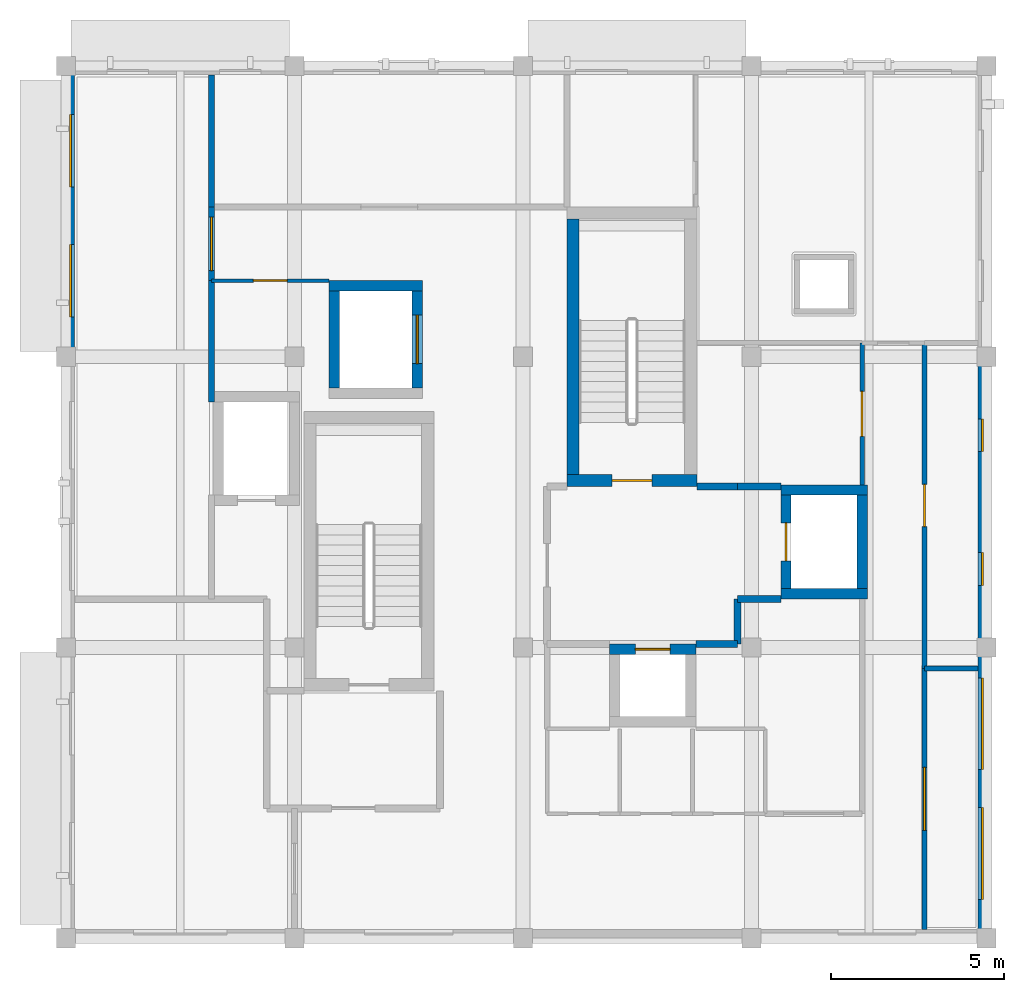
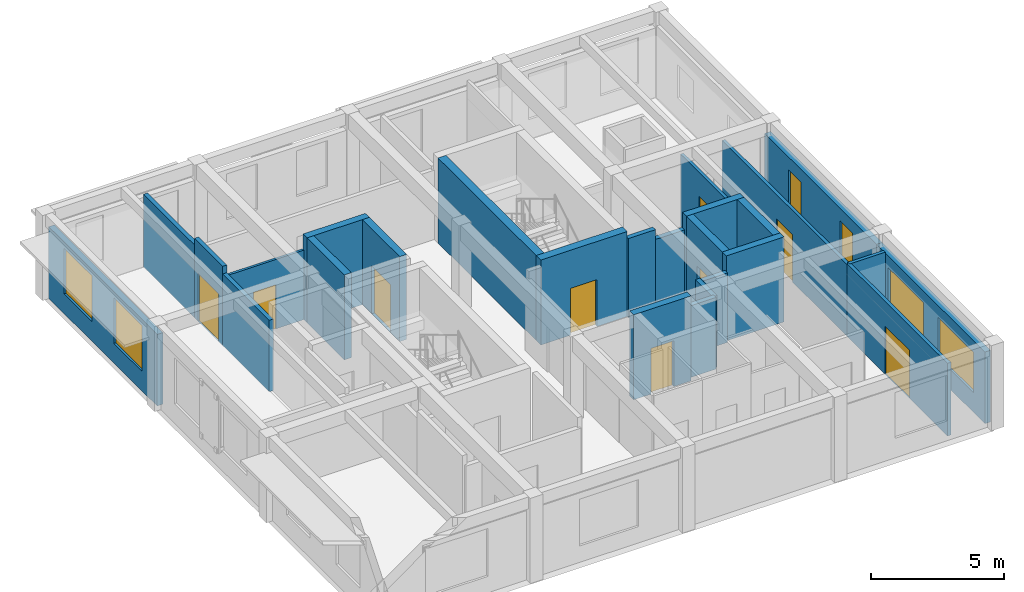
# One storey, part 3 of 6: 26 walls, 9 doors, 6 windows, 15 openings.
"""IFC4 building model written with IfcOpenShell, lengths in metres."""

from ifc_helpers import new_model, si_unit, direction, frame, frame_2d, origin, place, context, subcontext, project, spatial, rectangle, extrude, material, layer, layer_set, type_object, element, fill, save


model = new_model("IFC4")

# Units and contexts
model_context = context("Model", 3, precision=1e-05, world=origin(), true_north=direction((0.0, 1.0)))
body_context = subcontext(model_context, "Body", "Model", "MODEL_VIEW")
ifc_project = project(units=[si_unit("LENGTHUNIT", "METRE"), si_unit("AREAUNIT", "SQUARE_METRE"), si_unit("VOLUMEUNIT", "CUBIC_METRE"), si_unit("PLANEANGLEUNIT", "RADIAN"), si_unit("MASSUNIT", "GRAM", prefix="KILO")], contexts=[model_context])

# Site, building, storey
site_placement = place(None, origin())
site = spatial("IfcSite", under=ifc_project, at=site_placement, CompositionType="ELEMENT")
building_placement = place(site_placement, origin())
building = spatial("IfcBuilding", under=site, at=building_placement, Name="Kolvaren Faculty of Natural Sciences", CompositionType="ELEMENT")
storey_placement = place(building_placement, frame((0.0, 0.0, 36.60009765625)))
storey = spatial("IfcBuildingStorey", under=building, at=storey_placement, Name="L08", CompositionType="ELEMENT", Elevation=36.60009765625)

# Wall, opening, door
ifc_material_1 = material(Name="Acoustic mineral-wool insulated gypsum partition")
ifc_layer_1 = layer(ifc_material_1, 0.139892578125)
ifc_layer_set_1 = layer_set([ifc_layer_1], Name="Acoustic mineral-wool insulated gypsum partition")
wall_type_1 = type_object("IfcWallType", Name="CommonsPartitionWall_140", PredefinedType="PARTITIONING", material=ifc_layer_set_1)
wall_1_placement = place(storey_placement, frame((170.199951171875, 66.800048828125, 0.0), z_axis=(0.0, 0.0, 1.0), x_axis=(0.0, 1.0, 0.0)))
wall_1 = element("IfcWall", 1, at=wall_1_placement, inside=storey, type_object=wall_type_1, Name="L08 interior partition PW-140", PredefinedType="PARTITIONING", context=body_context, shape_type="SweptSolid", body=[
    extrude(rectangle(XDim=9.39990234375, YDim=0.139892578125, at=frame_2d((4.699951171875, 0.0))), origin(), (0.0, 0.0, 1.0), 3.284912109375),
])
opening_1_placement = place(wall_1_placement, frame((4.090087890625, 0.0, 0.0)))
opening_1 = element("IfcOpeningElement", 2, at=opening_1_placement, cuts=wall_1, Name="Opening ID-37", PredefinedType="OPENING", context=body_context, shape_type="SweptSolid", body=[
    extrude(rectangle(XDim=1.219970703125, YDim=2.179931640625, at=frame_2d((0.60986328125, 1.08984375))), frame((0.0, 0.079833984375, 0.0), z_axis=(0.0, -1.0, 0.0), x_axis=(1.0, 0.0, 0.0)), (0.0, 0.0, 1.0), 0.159912109375),
])
ifc_material_2 = material(Name="Solid-core hardwood veneer door leaf in steel frame", Category="steel")
door_type_1 = type_object("IfcDoorType", Name="InteriorRoomDoor_1220x2180", OperationType="NOTDEFINED", PredefinedType="DOOR", material=ifc_material_2)
door_1_placement = place(opening_1_placement, origin())
door_1 = element("IfcDoor", 3, at=door_1_placement, inside=storey, type_object=door_type_1, Name="D-L08-0375", OperationType="SINGLE_SWING_RIGHT", OverallHeight=2.179931640625, OverallWidth=1.219970703125, PredefinedType="DOOR", context=body_context, shape_type="SweptSolid", body=[
    extrude(rectangle(XDim=1.219970703125, YDim=2.179931640625, at=frame_2d((0.60986328125, 1.08984375))), frame((0.0, 0.02490234375, 0.0), z_axis=(0.0, -1.0, 0.0), x_axis=(1.0, 0.0, 0.0)), (0.0, 0.0, 1.0), 0.050048828125),
])
fill(opening_1, door_1)

ifc_layer_2 = layer(ifc_material_1, 0.14501953125)
ifc_layer_set_2 = layer_set([ifc_layer_2], Name="Acoustic mineral-wool insulated gypsum partition")
wall_type_2 = type_object("IfcWallType", Name="CommonsPartitionWall_145", PredefinedType="PARTITIONING", material=ifc_layer_set_2)
wall_2_placement = place(storey_placement, frame((170.199951171875, 59.251953125, 0.0), z_axis=(0.0, 0.0, 1.0), x_axis=(0.0, 1.0, 0.0)))
wall_2 = element("IfcWall", 4, at=wall_2_placement, inside=storey, type_object=wall_type_2, Name="L08 interior partition PW-145", PredefinedType="PARTITIONING", context=body_context, shape_type="SweptSolid", body=[
    extrude(rectangle(XDim=7.548095703125, YDim=0.14501953125, at=frame_2d((3.77392578125, 0.0))), origin(), (0.0, 0.0, 1.0), 3.3349609375),
])
opening_2_placement = place(wall_2_placement, frame((2.864013671875, 0.0, 0.0)))
opening_2 = element("IfcOpeningElement", 5, at=opening_2_placement, cuts=wall_2, Name="Opening ID-36", PredefinedType="OPENING", context=body_context, shape_type="SweptSolid", body=[
    extrude(rectangle(XDim=1.820068359375, YDim=2.199951171875, at=frame_2d((0.91015625, 1.10009765625))), frame((0.0, 0.08251953125, 0.0), z_axis=(0.0, -1.0, 0.0), x_axis=(1.0, 0.0, 0.0)), (0.0, 0.0, 1.0), 0.1650390625),
])
ifc_material_3 = material(Name="Thermally broken anodised aluminium glazed door", Category="aluminium")
door_type_2 = type_object("IfcDoorType", Name="InteriorRoomDoor_1820x2200", OperationType="DOUBLE_DOOR_SINGLE_SWING", PredefinedType="DOOR", material=ifc_material_3)
door_2_placement = place(opening_2_placement, origin())
door_2 = element("IfcDoor", 6, at=door_2_placement, inside=storey, type_object=door_type_2, Name="D-L08-0374", OperationType="DOUBLE_DOOR_SINGLE_SWING", OverallHeight=2.199951171875, OverallWidth=1.820068359375, PredefinedType="DOOR", context=body_context, shape_type="SweptSolid", body=[
    extrude(rectangle(XDim=1.820068359375, YDim=2.199951171875, at=frame_2d((0.91015625, 1.10009765625))), frame((0.0, 0.02490234375, 0.0), z_axis=(0.0, -1.0, 0.0), x_axis=(1.0, 0.0, 0.0)), (0.0, 0.0, 1.0), 0.050048828125),
])
fill(opening_2, door_2)

# Wall
wall_3_placement = place(storey_placement, frame((170.199951171875, 66.800048828125, 0.0), z_axis=(0.0, 0.0, 1.0), x_axis=(1.0, 0.0, 0.0)))
element("IfcWall", 7, at=wall_3_placement, inside=storey, type_object=wall_type_2, Name="L08 interior partition PW-145", PredefinedType="PARTITIONING", context=body_context, shape_type="SweptSolid", body=[
    extrude(rectangle(XDim=1.548095703125, YDim=0.14501953125, at=frame_2d((0.77392578125, 0.0))), origin(), (0.0, 0.0, 1.0), 3.3349609375),
])

# Wall, opening, door
ifc_material_4 = material(Name="Concrete C40/50", Category="concrete")
ifc_layer_3 = layer(ifc_material_4, 0.35009765625)
ifc_layer_set_3 = layer_set([ifc_layer_3], Name="Concrete C40/50")
wall_type_3 = type_object("IfcWallType", Name="CoreShearWall_350", PredefinedType="SHEAR", material=ifc_layer_set_3)
wall_4_placement = place(storey_placement, frame((159.875, 72.22509765625, 0.0), z_axis=(0.0, 0.0, 1.0), x_axis=(1.0, 0.0, 0.0)))
wall_4 = element("IfcWall", 8, at=wall_4_placement, inside=storey, type_object=wall_type_3, Name="L08 CORE-C1 stair shear wall S", PredefinedType="SHEAR", context=body_context, shape_type="SweptSolid", body=[
    extrude(rectangle(XDim=3.75, YDim=0.35009765625, at=frame_2d((1.875, 0.0))), origin(), (0.0, 0.0, 1.0), 3.89990234375),
])
opening_3_placement = place(wall_4_placement, frame((1.300048828125, 0.0, 0.0)))
opening_3 = element("IfcOpeningElement", 9, at=opening_3_placement, cuts=wall_4, Name="Opening FD90", PredefinedType="OPENING", context=body_context, shape_type="SweptSolid", body=[
    extrude(rectangle(XDim=1.14990234375, YDim=2.14990234375, at=frame_2d((0.574951171875, 1.074951171875))), frame((0.0, 0.18505859375, 0.0), z_axis=(0.0, -1.0, 0.0), x_axis=(1.0, 0.0, 0.0)), (0.0, 0.0, 1.0), 0.3701171875),
])
ifc_material_5 = material(Name="Fire-rated solid-core hardwood door leaf in steel frame", Category="steel")
door_type_3 = type_object("IfcDoorType", Name="StairCoreFireDoor_1150x2150", OperationType="NOTDEFINED", PredefinedType="DOOR", material=ifc_material_5)
door_3_placement = place(opening_3_placement, origin())
door_3 = element("IfcDoor", 10, at=door_3_placement, inside=storey, type_object=door_type_3, Name="D-ST-ST-1-L08", OperationType="SINGLE_SWING_RIGHT", OverallHeight=2.14990234375, OverallWidth=1.14990234375, PredefinedType="DOOR", context=body_context, shape_type="SweptSolid", body=[
    extrude(rectangle(XDim=1.14990234375, YDim=2.14990234375, at=frame_2d((0.574951171875, 1.074951171875))), frame((0.0, 0.02490234375, 0.0), z_axis=(0.0, -1.0, 0.0), x_axis=(1.0, 0.0, 0.0)), (0.0, 0.0, 1.0), 0.050048828125),
])
fill(opening_3, door_3)

# Wall
wall_5_placement = place(storey_placement, frame((160.050048828125, 72.39990234375, 0.0), z_axis=(0.0, 0.0, 1.0), x_axis=(0.0, 1.0, 0.0)))
element("IfcWall", 11, at=wall_5_placement, inside=storey, type_object=wall_type_3, Name="L08 CORE-C1 stair shear wall W", PredefinedType="SHEAR", context=body_context, shape_type="SweptSolid", body=[
    extrude(rectangle(XDim=7.375, YDim=0.35009765625, at=frame_2d((3.6875, 0.0))), origin(), (0.0, 0.0, 1.0), 3.89990234375),
])

# Wall, openings, windows
ifc_material_6 = material(Name="Precast concrete C35/45", Category="concrete")
ifc_layer_4 = layer(ifc_material_6, 0.25)
ifc_layer_set_4 = layer_set([ifc_layer_4], Name="Precast concrete C35/45")
wall_type_4 = type_object("IfcWallType", Name="ExteriorTowerWall_250", PredefinedType="STANDARD", material=ifc_layer_set_4)
wall_6_placement = place(storey_placement, frame((171.875, 75.800048828125, 0.0), z_axis=(0.0, 0.0, 1.0), x_axis=(0.0, -1.0, 0.0)))
wall_6 = element("IfcWall", 12, at=wall_6_placement, inside=storey, type_object=wall_type_4, Name="L08 exterior masonry wall EW-250 (727)", PredefinedType="STANDARD", context=body_context, shape_type="SweptSolid", body=[
    extrude(rectangle(XDim=8.400146484375, YDim=0.25, at=frame_2d((4.2001953125, 0.0))), origin(), (0.0, 0.0, 1.0), 3.284912109375),
])
opening_4_placement = place(wall_6_placement, frame((1.79296875, 0.0, 0.89990234375)))
opening_4 = element("IfcOpeningElement", 13, at=opening_4_placement, cuts=wall_6, Name="Opening WIN-23", PredefinedType="OPENING", context=body_context, shape_type="SweptSolid", body=[
    extrude(rectangle(XDim=0.949951171875, YDim=1.800048828125, at=frame_2d((0.47509765625, 0.89990234375))), frame((0.0, 0.135009765625, 0.0), z_axis=(0.0, -1.0, 0.0), x_axis=(1.0, 0.0, 0.0)), (0.0, 0.0, 1.0), 0.27001953125),
])
opening_5_placement = place(wall_6_placement, frame((5.656982421875, 0.0, 0.89990234375)))
opening_5 = element("IfcOpeningElement", 14, at=opening_5_placement, cuts=wall_6, Name="Opening WIN-23", PredefinedType="OPENING", context=body_context, shape_type="SweptSolid", body=[
    extrude(rectangle(XDim=0.949951171875, YDim=1.800048828125, at=frame_2d((0.47509765625, 0.89990234375))), frame((0.0, 0.135009765625, 0.0), z_axis=(0.0, -1.0, 0.0), x_axis=(1.0, 0.0, 0.0)), (0.0, 0.0, 1.0), 0.27001953125),
])
ifc_material_7 = material(Name="Double low-E solar control insulated glazing", Category="glass")
window_type_1 = type_object("IfcWindowType", Name="AluWindow_WIN23_950x1800", PartitioningType="SINGLE_PANEL", PredefinedType="WINDOW", material=ifc_material_7)
window_1_placement = place(opening_4_placement, origin())
window_1 = element("IfcWindow", 15, at=window_1_placement, inside=storey, type_object=window_type_1, Name="WIN-L08-0585", OverallHeight=1.800048828125, OverallWidth=0.949951171875, PartitioningType="SINGLE_PANEL", PredefinedType="WINDOW", context=body_context, shape_type="SweptSolid", body=[
    extrude(rectangle(XDim=0.949951171875, YDim=1.800048828125, at=frame_2d((0.47509765625, 0.89990234375))), frame((0.0, 0.030029296875, 0.0), z_axis=(0.0, -1.0, 0.0), x_axis=(1.0, 0.0, 0.0)), (0.0, 0.0, 1.0), 0.06005859375),
])
fill(opening_4, window_1)
window_2_placement = place(opening_5_placement, origin())
window_2 = element("IfcWindow", 16, at=window_2_placement, inside=storey, type_object=window_type_1, Name="WIN-L08-0586", OverallHeight=1.800048828125, OverallWidth=0.949951171875, PartitioningType="SINGLE_PANEL", PredefinedType="WINDOW", context=body_context, shape_type="SweptSolid", body=[
    extrude(rectangle(XDim=0.949951171875, YDim=1.800048828125, at=frame_2d((0.47509765625, 0.89990234375))), frame((0.0, 0.030029296875, 0.0), z_axis=(0.0, -1.0, 0.0), x_axis=(1.0, 0.0, 0.0)), (0.0, 0.0, 1.0), 0.06005859375),
])
fill(opening_5, window_2)

wall_7_placement = place(storey_placement, frame((171.875, 67.39990234375, 0.0), z_axis=(0.0, 0.0, 1.0), x_axis=(0.0, -1.0, 0.0)))
wall_7 = element("IfcWall", 17, at=wall_7_placement, inside=storey, type_object=wall_type_4, Name="L08 exterior masonry wall EW-250 (728)", PredefinedType="STANDARD", context=body_context, shape_type="SweptSolid", body=[
    extrude(rectangle(XDim=8.14990234375, YDim=0.25, at=frame_2d((4.074951171875, 0.0))), origin(), (0.0, 0.0, 1.0), 3.284912109375),
])
opening_6_placement = place(wall_7_placement, frame((0.87548828125, 0.0, 0.89990234375)))
opening_6 = element("IfcOpeningElement", 18, at=opening_6_placement, cuts=wall_7, Name="Opening WIN-24", PredefinedType="OPENING", context=body_context, shape_type="SweptSolid", body=[
    extrude(rectangle(XDim=2.64990234375, YDim=1.85009765625, at=frame_2d((1.324951171875, 0.925048828125))), frame((0.0, 0.135009765625, 0.0), z_axis=(0.0, -1.0, 0.0), x_axis=(1.0, 0.0, 0.0)), (0.0, 0.0, 1.0), 0.27001953125),
])
opening_7_placement = place(wall_7_placement, frame((4.62451171875, 0.0, 0.89990234375)))
opening_7 = element("IfcOpeningElement", 19, at=opening_7_placement, cuts=wall_7, Name="Opening WIN-24", PredefinedType="OPENING", context=body_context, shape_type="SweptSolid", body=[
    extrude(rectangle(XDim=2.64990234375, YDim=1.85009765625, at=frame_2d((1.324951171875, 0.925048828125))), frame((0.0, 0.135009765625, 0.0), z_axis=(0.0, -1.0, 0.0), x_axis=(1.0, 0.0, 0.0)), (0.0, 0.0, 1.0), 0.27001953125),
])
window_type_2 = type_object("IfcWindowType", Name="AluWindow_WIN24_2650x1850", PartitioningType="SINGLE_PANEL", PredefinedType="WINDOW", material=ifc_material_7)
window_3_placement = place(opening_6_placement, origin())
window_3 = element("IfcWindow", 20, at=window_3_placement, inside=storey, type_object=window_type_2, Name="WIN-L08-0587", OverallHeight=1.85009765625, OverallWidth=2.64990234375, PartitioningType="SINGLE_PANEL", PredefinedType="WINDOW", context=body_context, shape_type="SweptSolid", body=[
    extrude(rectangle(XDim=2.64990234375, YDim=1.85009765625, at=frame_2d((1.324951171875, 0.925048828125))), frame((0.0, 0.030029296875, 0.0), z_axis=(0.0, -1.0, 0.0), x_axis=(1.0, 0.0, 0.0)), (0.0, 0.0, 1.0), 0.06005859375),
])
fill(opening_6, window_3)
window_4_placement = place(opening_7_placement, origin())
window_4 = element("IfcWindow", 21, at=window_4_placement, inside=storey, type_object=window_type_2, Name="WIN-L08-0588", OverallHeight=1.85009765625, OverallWidth=2.64990234375, PartitioningType="SINGLE_PANEL", PredefinedType="WINDOW", context=body_context, shape_type="SweptSolid", body=[
    extrude(rectangle(XDim=2.64990234375, YDim=1.85009765625, at=frame_2d((1.324951171875, 0.925048828125))), frame((0.0, 0.030029296875, 0.0), z_axis=(0.0, -1.0, 0.0), x_axis=(1.0, 0.0, 0.0)), (0.0, 0.0, 1.0), 0.06005859375),
])
fill(opening_7, window_4)

wall_8_placement = place(storey_placement, frame((145.52490234375, 75.800048828125, 0.0), z_axis=(0.0, 0.0, 1.0), x_axis=(0.0, 1.0, 0.0)))
wall_8 = element("IfcWall", 22, at=wall_8_placement, inside=storey, type_object=wall_type_4, Name="L08 exterior masonry wall EW-250 (735)", PredefinedType="STANDARD", context=body_context, shape_type="SweptSolid", body=[
    extrude(rectangle(XDim=8.14990234375, YDim=0.25, at=frame_2d((4.074951171875, 0.0))), origin(), (0.0, 0.0, 1.0), 3.284912109375),
])
opening_8_placement = place(wall_8_placement, frame((1.150390625, 0.0, 0.89990234375)))
opening_8 = element("IfcOpeningElement", 23, at=opening_8_placement, cuts=wall_8, Name="Opening WIN-07", PredefinedType="OPENING", context=body_context, shape_type="SweptSolid", body=[
    extrude(rectangle(XDim=2.10009765625, YDim=2.10009765625, at=frame_2d((1.050048828125, 1.050048828125))), frame((0.0, 0.135009765625, 0.0), z_axis=(0.0, -1.0, 0.0), x_axis=(1.0, 0.0, 0.0)), (0.0, 0.0, 1.0), 0.27001953125),
])
opening_9_placement = place(wall_8_placement, frame((4.8994140625, 0.0, 0.89990234375)))
opening_9 = element("IfcOpeningElement", 24, at=opening_9_placement, cuts=wall_8, Name="Opening WIN-07", PredefinedType="OPENING", context=body_context, shape_type="SweptSolid", body=[
    extrude(rectangle(XDim=2.10009765625, YDim=2.10009765625, at=frame_2d((1.050048828125, 1.050048828125))), frame((0.0, 0.135009765625, 0.0), z_axis=(0.0, -1.0, 0.0), x_axis=(1.0, 0.0, 0.0)), (0.0, 0.0, 1.0), 0.27001953125),
])
window_type_3 = type_object("IfcWindowType", Name="AluWindow_WIN07_2100x2100", PartitioningType="SINGLE_PANEL", PredefinedType="WINDOW", material=ifc_material_7)
window_5_placement = place(opening_8_placement, origin())
window_5 = element("IfcWindow", 25, at=window_5_placement, inside=storey, type_object=window_type_3, Name="WIN-L08-0600", OverallHeight=2.10009765625, OverallWidth=2.10009765625, PartitioningType="SINGLE_PANEL", PredefinedType="WINDOW", context=body_context, shape_type="SweptSolid", body=[
    extrude(rectangle(XDim=2.10009765625, YDim=2.10009765625, at=frame_2d((1.050048828125, 1.050048828125))), frame((0.0, 0.030029296875, 0.0), z_axis=(0.0, -1.0, 0.0), x_axis=(1.0, 0.0, 0.0)), (0.0, 0.0, 1.0), 0.06005859375),
])
fill(opening_8, window_5)
window_6_placement = place(opening_9_placement, origin())
window_6 = element("IfcWindow", 26, at=window_6_placement, inside=storey, type_object=window_type_3, Name="WIN-L08-0601", OverallHeight=2.10009765625, OverallWidth=2.10009765625, PartitioningType="SINGLE_PANEL", PredefinedType="WINDOW", context=body_context, shape_type="SweptSolid", body=[
    extrude(rectangle(XDim=2.10009765625, YDim=2.10009765625, at=frame_2d((1.050048828125, 1.050048828125))), frame((0.0, 0.030029296875, 0.0), z_axis=(0.0, -1.0, 0.0), x_axis=(1.0, 0.0, 0.0)), (0.0, 0.0, 1.0), 0.06005859375),
])
fill(opening_9, window_6)

# Walls
ifc_material_8 = material(Name="Autoclaved aerated fire-rated masonry blockwork", Category="masonry")
ifc_layer_5 = layer(ifc_material_8, 0.199951171875)
ifc_layer_set_5 = layer_set([ifc_layer_5], Name="Autoclaved aerated fire-rated masonry blockwork")
wall_type_5 = type_object("IfcWallType", Name="FireLobbyWall_200", PredefinedType="PARTITIONING", material=ifc_layer_set_5)
wall_9_placement = place(storey_placement, frame((163.625, 72.050048828125, 0.0), z_axis=(0.0, 0.0, 1.0), x_axis=(1.0, 0.0, 0.0)))
element("IfcWall", 27, at=wall_9_placement, inside=storey, type_object=wall_type_5, Name="L08 interior partition FW-200", PredefinedType="PARTITIONING", context=body_context, shape_type="SweptSolid", body=[
    extrude(rectangle(XDim=1.175048828125, YDim=0.199951171875, at=frame_2d((0.58740234375, 0.0))), origin(), (0.0, 0.0, 1.0), 3.635009765625),
])
for number, where, z_axis, x_axis, name in (
    (28, (164.800048828125, 72.050048828125, 0.0), (0.0, 0.0, 1.0), (1.0, 0.0, 0.0), "L08 interior partition FW-200"),
    (29, (166.050048828125, 68.800048828125, 0.0), (0.0, 0.0, 1.0), (-1.0, 0.0, 0.0), "L08 interior partition FW-200"),
):
    element("IfcWall", number, at=place(storey_placement, frame(where, z_axis=z_axis, x_axis=x_axis)), inside=storey, type_object=wall_type_5, Name=name, PredefinedType="PARTITIONING", context=body_context, shape_type="SweptSolid", body=[
        extrude(rectangle(XDim=1.25, YDim=0.199951171875, at=frame_2d((0.625, 0.0))), origin(), (0.0, 0.0, 1.0), 3.184814453125),
    ])
wall_10_placement = place(storey_placement, frame((164.800048828125, 68.800048828125, 0.0), z_axis=(0.0, 0.0, 1.0), x_axis=(0.0, -1.0, 0.0)))
element("IfcWall", 30, at=wall_10_placement, inside=storey, type_object=wall_type_5, Name="L08 interior partition FW-200", PredefinedType="PARTITIONING", context=body_context, shape_type="SweptSolid", body=[
    extrude(rectangle(XDim=1.300048828125, YDim=0.199951171875, at=frame_2d((0.64990234375, 0.0))), origin(), (0.0, 0.0, 1.0), 3.284912109375),
])
wall_11_placement = place(storey_placement, frame((164.800048828125, 67.5, 0.0), z_axis=(0.0, 0.0, 1.0), x_axis=(-1.0, 0.0, 0.0)))
element("IfcWall", 31, at=wall_11_placement, inside=storey, type_object=wall_type_5, Name="L08 interior partition FW-200", PredefinedType="PARTITIONING", context=body_context, shape_type="SweptSolid", body=[
    extrude(rectangle(XDim=1.199951171875, YDim=0.199951171875, at=frame_2d((0.60009765625, 0.0))), origin(), (0.0, 0.0, 1.0), 3.284912109375),
])
ifc_layer_6 = layer(ifc_material_1, 0.179931640625)
ifc_layer_set_6 = layer_set([ifc_layer_6], Name="Acoustic mineral-wool insulated gypsum partition")
wall_type_6 = type_object("IfcWallType", Name="LabPartitionWall_180", PredefinedType="PARTITIONING", material=ifc_layer_set_6)
wall_12_placement = place(storey_placement, frame((149.60009765625, 83.947998046875, 0.0), z_axis=(0.0, 0.0, 1.0), x_axis=(0.0, -1.0, 0.0)))
element("IfcWall", 32, at=wall_12_placement, inside=storey, type_object=wall_type_6, Name="L08 interior partition PW-180", PredefinedType="PARTITIONING", context=body_context, shape_type="SweptSolid", body=[
    extrude(rectangle(XDim=3.822998046875, YDim=0.179931640625, at=frame_2d((1.91162109375, 0.0))), origin(), (0.0, 0.0, 1.0), 3.3349609375),
])

# Wall, opening, door
wall_13_placement = place(storey_placement, frame((149.60009765625, 80.125, 0.0), z_axis=(0.0, 0.0, 1.0), x_axis=(0.0, -1.0, 0.0)))
wall_13 = element("IfcWall", 33, at=wall_13_placement, inside=storey, type_object=wall_type_6, Name="L08 interior partition PW-180", PredefinedType="PARTITIONING", context=body_context, shape_type="SweptSolid", body=[
    extrude(rectangle(XDim=2.125, YDim=0.179931640625, at=frame_2d((1.0625, 0.0))), origin(), (0.0, 0.0, 1.0), 3.635009765625),
])
opening_10_placement = place(wall_13_placement, frame((0.29248046875, 0.0, 0.0)))
opening_10 = element("IfcOpeningElement", 34, at=opening_10_placement, cuts=wall_13, Name="Opening ID-33", PredefinedType="OPENING", context=body_context, shape_type="SweptSolid", body=[
    extrude(rectangle(XDim=1.5400390625, YDim=2.199951171875, at=frame_2d((0.77001953125, 1.10009765625))), frame((0.0, 0.099853515625, 0.0), z_axis=(0.0, -1.0, 0.0), x_axis=(1.0, 0.0, 0.0)), (0.0, 0.0, 1.0), 0.199951171875),
])
door_type_4 = type_object("IfcDoorType", Name="InteriorRoomDoor_1540x2200", OperationType="DOUBLE_DOOR_SINGLE_SWING", PredefinedType="DOOR", material=ifc_material_3)
door_4_placement = place(opening_10_placement, origin())
door_4 = element("IfcDoor", 35, at=door_4_placement, inside=storey, type_object=door_type_4, Name="D-L08-0371", OperationType="DOUBLE_DOOR_SINGLE_SWING", OverallHeight=2.199951171875, OverallWidth=1.5400390625, PredefinedType="DOOR", context=body_context, shape_type="SweptSolid", body=[
    extrude(rectangle(XDim=1.5400390625, YDim=2.199951171875, at=frame_2d((0.77001953125, 1.10009765625))), frame((0.0, 0.02490234375, 0.0), z_axis=(0.0, -1.0, 0.0), x_axis=(1.0, 0.0, 0.0)), (0.0, 0.0, 1.0), 0.050048828125),
])
fill(opening_10, door_4)

# Wall
wall_14_placement = place(storey_placement, frame((149.60009765625, 78.0, 0.0), z_axis=(0.0, 0.0, 1.0), x_axis=(0.0, -1.0, 0.0)))
element("IfcWall", 36, at=wall_14_placement, inside=storey, type_object=wall_type_6, Name="L08 interior partition PW-180", PredefinedType="PARTITIONING", context=body_context, shape_type="SweptSolid", body=[
    extrude(rectangle(XDim=3.5, YDim=0.179931640625, at=frame_2d((1.75, 0.0))), origin(), (0.0, 0.0, 1.0), 3.284912109375),
])

# Wall, opening, door
ifc_layer_7 = layer(ifc_material_1, 0.1298828125)
ifc_layer_set_7 = layer_set([ifc_layer_7], Name="Acoustic mineral-wool insulated gypsum partition")
wall_type_7 = type_object("IfcWallType", Name="OfficePartitionWall_130", PredefinedType="PARTITIONING", material=ifc_layer_set_7)
wall_15_placement = place(storey_placement, frame((168.39990234375, 76.199951171875, 0.0), z_axis=(0.0, 0.0, 1.0), x_axis=(0.0, -1.0, 0.0)))
wall_15 = element("IfcWall", 37, at=wall_15_placement, inside=storey, type_object=wall_type_7, Name="L08 interior partition PW-130", PredefinedType="PARTITIONING", context=body_context, shape_type="SweptSolid", body=[
    extrude(rectangle(XDim=4.097900390625, YDim=0.1298828125, at=frame_2d((2.048828125, 0.0))), origin(), (0.0, 0.0, 1.0), 3.284912109375),
])
opening_11_placement = place(wall_15_placement, frame((1.39892578125, 0.0, 0.0)))
opening_11 = element("IfcOpeningElement", 38, at=opening_11_placement, cuts=wall_15, Name="Opening ID-38", PredefinedType="OPENING", context=body_context, shape_type="SweptSolid", body=[
    extrude(rectangle(XDim=1.300048828125, YDim=2.179931640625, at=frame_2d((0.64990234375, 1.08984375))), frame((0.0, 0.074951171875, 0.0), z_axis=(0.0, -1.0, 0.0), x_axis=(1.0, 0.0, 0.0)), (0.0, 0.0, 1.0), 0.14990234375),
])
door_type_5 = type_object("IfcDoorType", Name="InteriorRoomDoor_1300x2180", OperationType="NOTDEFINED", PredefinedType="DOOR", material=ifc_material_2)
door_5_placement = place(opening_11_placement, origin())
door_5 = element("IfcDoor", 39, at=door_5_placement, inside=storey, type_object=door_type_5, Name="D-L08-0376", OperationType="SINGLE_SWING_LEFT", OverallHeight=2.179931640625, OverallWidth=1.300048828125, PredefinedType="DOOR", context=body_context, shape_type="SweptSolid", body=[
    extrude(rectangle(XDim=1.300048828125, YDim=2.179931640625, at=frame_2d((0.64990234375, 1.08984375))), frame((0.0, 0.02490234375, 0.0), z_axis=(0.0, -1.0, 0.0), x_axis=(1.0, 0.0, 0.0)), (0.0, 0.0, 1.0), 0.050048828125),
])
fill(opening_11, door_5)

# Walls
ifc_layer_8 = layer(ifc_material_4, 0.300048828125)
ifc_layer_set_8 = layer_set([ifc_layer_8], Name="Concrete C40/50")
wall_type_8 = type_object("IfcWallType", Name="ShaftShearWall_300", PredefinedType="SHEAR", material=ifc_layer_set_8)
for number, where, z_axis, x_axis, name in (
    (40, (166.050048828125, 68.949951171875, 0.0), (0.0, 0.0, 1.0), (1.0, 0.0, 0.0), "L08 lift FL-1 shaft wall S"),
    (41, (166.050048828125, 71.949951171875, 0.0), (0.0, 0.0, 1.0), (1.0, 0.0, 0.0), "L08 lift FL-1 shaft wall N"),
):
    element("IfcWall", number, at=place(storey_placement, frame(where, z_axis=z_axis, x_axis=x_axis)), inside=storey, type_object=wall_type_8, Name=name, PredefinedType="SHEAR", context=body_context, shape_type="SweptSolid", body=[
        extrude(rectangle(XDim=2.5, YDim=0.300048828125, at=frame_2d((1.25, 0.0))), origin(), (0.0, 0.0, 1.0), 3.89990234375),
    ])

# Wall, opening, door
wall_16_placement = place(storey_placement, frame((166.199951171875, 69.10009765625, 0.0), z_axis=(0.0, 0.0, 1.0), x_axis=(0.0, 1.0, 0.0)))
wall_16 = element("IfcWall", 42, at=wall_16_placement, inside=storey, type_object=wall_type_8, Name="L08 lift FL-1 shaft wall W", PredefinedType="SHEAR", context=body_context, shape_type="SweptSolid", body=[
    extrude(rectangle(XDim=2.699951171875, YDim=0.300048828125, at=frame_2d((1.35009765625, 0.0))), origin(), (0.0, 0.0, 1.0), 3.89990234375),
])
opening_12_placement = place(wall_16_placement, frame((0.800048828125, 0.0, 0.0)))
opening_12 = element("IfcOpeningElement", 43, at=opening_12_placement, cuts=wall_16, Name="Opening LD-01", PredefinedType="OPENING", context=body_context, shape_type="SweptSolid", body=[
    extrude(rectangle(XDim=1.10009765625, YDim=2.10009765625, at=frame_2d((0.550048828125, 1.050048828125))), frame((0.0, 0.159912109375, 0.0), z_axis=(0.0, -1.0, 0.0), x_axis=(1.0, 0.0, 0.0)), (0.0, 0.0, 1.0), 0.320068359375),
])
ifc_material_9 = material(Name="Brushed stainless steel lift car and sliding door assembly", Category="steel")
door_type_6 = type_object("IfcDoorType", Name="LiftLandingSliding_1100x2100", OperationType="DOUBLE_DOOR_SLIDING", PredefinedType="DOOR", material=ifc_material_9)
door_6_placement = place(opening_12_placement, origin())
door_6 = element("IfcDoor", 44, at=door_6_placement, inside=storey, type_object=door_type_6, Name="D-LIFT-FL-1-L08", OperationType="DOUBLE_DOOR_SLIDING", OverallHeight=2.10009765625, OverallWidth=1.10009765625, PredefinedType="DOOR", context=body_context, shape_type="SweptSolid", body=[
    extrude(rectangle(XDim=1.10009765625, YDim=2.10009765625, at=frame_2d((0.550048828125, 1.050048828125))), frame((0.0, 0.02490234375, 0.0), z_axis=(0.0, -1.0, 0.0), x_axis=(1.0, 0.0, 0.0)), (0.0, 0.0, 1.0), 0.050048828125),
])
fill(opening_12, door_6)

# Wall
wall_17_placement = place(storey_placement, frame((168.39990234375, 69.10009765625, 0.0), z_axis=(0.0, 0.0, 1.0), x_axis=(0.0, 1.0, 0.0)))
element("IfcWall", 45, at=wall_17_placement, inside=storey, type_object=wall_type_8, Name="L08 lift FL-1 shaft wall E", PredefinedType="SHEAR", context=body_context, shape_type="SweptSolid", body=[
    extrude(rectangle(XDim=2.699951171875, YDim=0.300048828125, at=frame_2d((1.35009765625, 0.0))), origin(), (0.0, 0.0, 1.0), 3.89990234375),
])

# Wall, opening, door
wall_18_placement = place(storey_placement, frame((161.10009765625, 67.35009765625, 0.0), z_axis=(0.0, 0.0, 1.0), x_axis=(1.0, 0.0, 0.0)))
wall_18 = element("IfcWall", 46, at=wall_18_placement, inside=storey, type_object=wall_type_8, Name="L08 lift PL-1 shaft wall N", PredefinedType="SHEAR", context=body_context, shape_type="SweptSolid", body=[
    extrude(rectangle(XDim=2.5, YDim=0.300048828125, at=frame_2d((1.25, 0.0))), origin(), (0.0, 0.0, 1.0), 3.89990234375),
])
opening_13_placement = place(wall_18_placement, frame((0.75, 0.0, 0.0)))
opening_13 = element("IfcOpeningElement", 47, at=opening_13_placement, cuts=wall_18, Name="Opening LD-02", PredefinedType="OPENING", context=body_context, shape_type="SweptSolid", body=[
    extrude(rectangle(XDim=1.0, YDim=2.10009765625, at=frame_2d((0.5, 1.050048828125))), frame((0.0, 0.159912109375, 0.0), z_axis=(0.0, -1.0, 0.0), x_axis=(1.0, 0.0, 0.0)), (0.0, 0.0, 1.0), 0.320068359375),
])
door_type_7 = type_object("IfcDoorType", Name="LiftLandingSliding_1000x2100", OperationType="SLIDING_TO_LEFT", PredefinedType="DOOR", material=ifc_material_9)
door_7_placement = place(opening_13_placement, origin())
door_7 = element("IfcDoor", 48, at=door_7_placement, inside=storey, type_object=door_type_7, Name="D-LIFT-PL-1-L08", OperationType="SLIDING_TO_LEFT", OverallHeight=2.10009765625, OverallWidth=1.0, PredefinedType="DOOR", context=body_context, shape_type="SweptSolid", body=[
    extrude(rectangle(XDim=1.0, YDim=2.10009765625, at=frame_2d((0.5, 1.050048828125))), frame((0.0, 0.02490234375, 0.0), z_axis=(0.0, -1.0, 0.0), x_axis=(1.0, 0.0, 0.0)), (0.0, 0.0, 1.0), 0.050048828125),
])
fill(opening_13, door_7)

# Walls
wall_19_placement = place(storey_placement, frame((153.0, 77.85009765625, 0.0), z_axis=(0.0, 0.0, 1.0), x_axis=(1.0, 0.0, 0.0)))
element("IfcWall", 49, at=wall_19_placement, inside=storey, type_object=wall_type_8, Name="L08 lift GL-2 shaft wall N", PredefinedType="SHEAR", context=body_context, shape_type="SweptSolid", body=[
    extrude(rectangle(XDim=2.699951171875, YDim=0.300048828125, at=frame_2d((1.35009765625, 0.0))), origin(), (0.0, 0.0, 1.0), 3.89990234375),
])
wall_20_placement = place(storey_placement, frame((153.14990234375, 74.89990234375, 0.0), z_axis=(0.0, 0.0, 1.0), x_axis=(0.0, 1.0, 0.0)))
element("IfcWall", 50, at=wall_20_placement, inside=storey, type_object=wall_type_8, Name="L08 lift GL-2 shaft wall W", PredefinedType="SHEAR", context=body_context, shape_type="SweptSolid", body=[
    extrude(rectangle(XDim=2.800048828125, YDim=0.300048828125, at=frame_2d((1.39990234375, 0.0))), origin(), (0.0, 0.0, 1.0), 3.89990234375),
])

# Wall, opening, door
wall_21_placement = place(storey_placement, frame((155.550048828125, 74.89990234375, 0.0), z_axis=(0.0, 0.0, 1.0), x_axis=(0.0, 1.0, 0.0)))
wall_21 = element("IfcWall", 51, at=wall_21_placement, inside=storey, type_object=wall_type_8, Name="L08 lift GL-2 shaft wall E", PredefinedType="SHEAR", context=body_context, shape_type="SweptSolid", body=[
    extrude(rectangle(XDim=2.800048828125, YDim=0.300048828125, at=frame_2d((1.39990234375, 0.0))), origin(), (0.0, 0.0, 1.0), 3.89990234375),
])
opening_14_placement = place(wall_21_placement, frame((0.699951171875, 0.0, 0.0)))
opening_14 = element("IfcOpeningElement", 52, at=opening_14_placement, cuts=wall_21, Name="Opening LD-03", PredefinedType="OPENING", context=body_context, shape_type="SweptSolid", body=[
    extrude(rectangle(XDim=1.39990234375, YDim=2.199951171875, at=frame_2d((0.699951171875, 1.10009765625))), frame((0.0, 0.159912109375, 0.0), z_axis=(0.0, -1.0, 0.0), x_axis=(1.0, 0.0, 0.0)), (0.0, 0.0, 1.0), 0.320068359375),
])
door_type_8 = type_object("IfcDoorType", Name="GoodsLiftSliding_1400x2200", OperationType="DOUBLE_DOOR_SLIDING", PredefinedType="DOOR", material=ifc_material_9)
door_8_placement = place(opening_14_placement, origin())
door_8 = element("IfcDoor", 53, at=door_8_placement, inside=storey, type_object=door_type_8, Name="D-LIFT-GL-2-L08", OperationType="DOUBLE_DOOR_SLIDING", OverallHeight=2.199951171875, OverallWidth=1.39990234375, PredefinedType="DOOR", context=body_context, shape_type="SweptSolid", body=[
    extrude(rectangle(XDim=1.39990234375, YDim=2.199951171875, at=frame_2d((0.699951171875, 1.10009765625))), frame((0.0, 0.02490234375, 0.0), z_axis=(0.0, -1.0, 0.0), x_axis=(1.0, 0.0, 0.0)), (0.0, 0.0, 1.0), 0.050048828125),
])
fill(opening_14, door_8)

ifc_layer_9 = layer(ifc_material_1, 0.10498046875)
ifc_layer_set_9 = layer_set([ifc_layer_9], Name="Acoustic mineral-wool insulated gypsum partition")
wall_type_9 = type_object("IfcWallType", Name="WetRoomPartition_105", PredefinedType="PARTITIONING", material=ifc_layer_set_9)
wall_22_placement = place(storey_placement, frame((149.60009765625, 78.0, 0.0), z_axis=(0.0, 0.0, 1.0), x_axis=(1.0, 0.0, 0.0)))
wall_22 = element("IfcWall", 54, at=wall_22_placement, inside=storey, type_object=wall_type_9, Name="L08 interior partition PW-105", PredefinedType="PARTITIONING", context=body_context, shape_type="SweptSolid", body=[
    extrude(rectangle(XDim=3.39990234375, YDim=0.10498046875, at=frame_2d((1.699951171875, 0.0))), origin(), (0.0, 0.0, 1.0), 3.184814453125),
])
opening_15_placement = place(wall_22_placement, frame((1.2099609375, 0.0, 0.0)))
opening_15 = element("IfcOpeningElement", 55, at=opening_15_placement, cuts=wall_22, Name="Opening ID-03", PredefinedType="OPENING", context=body_context, shape_type="SweptSolid", body=[
    extrude(rectangle(XDim=0.97998046875, YDim=2.02001953125, at=frame_2d((0.489990234375, 1.010009765625))), frame((0.0, 0.0625, 0.0), z_axis=(0.0, -1.0, 0.0), x_axis=(1.0, 0.0, 0.0)), (0.0, 0.0, 1.0), 0.125),
])
door_type_9 = type_object("IfcDoorType", Name="InteriorRoomDoor_980x2020", OperationType="NOTDEFINED", PredefinedType="DOOR", material=ifc_material_2)
door_9_placement = place(opening_15_placement, origin())
door_9 = element("IfcDoor", 56, at=door_9_placement, inside=storey, type_object=door_type_9, Name="D-L08-0379", OperationType="SINGLE_SWING_RIGHT", OverallHeight=2.02001953125, OverallWidth=0.97998046875, PredefinedType="DOOR", context=body_context, shape_type="SweptSolid", body=[
    extrude(rectangle(XDim=0.97998046875, YDim=2.02001953125, at=frame_2d((0.489990234375, 1.010009765625))), frame((0.0, 0.02490234375, 0.0), z_axis=(0.0, -1.0, 0.0), x_axis=(1.0, 0.0, 0.0)), (0.0, 0.0, 1.0), 0.050048828125),
])
fill(opening_15, door_9)

save(model, "model.ifc")
